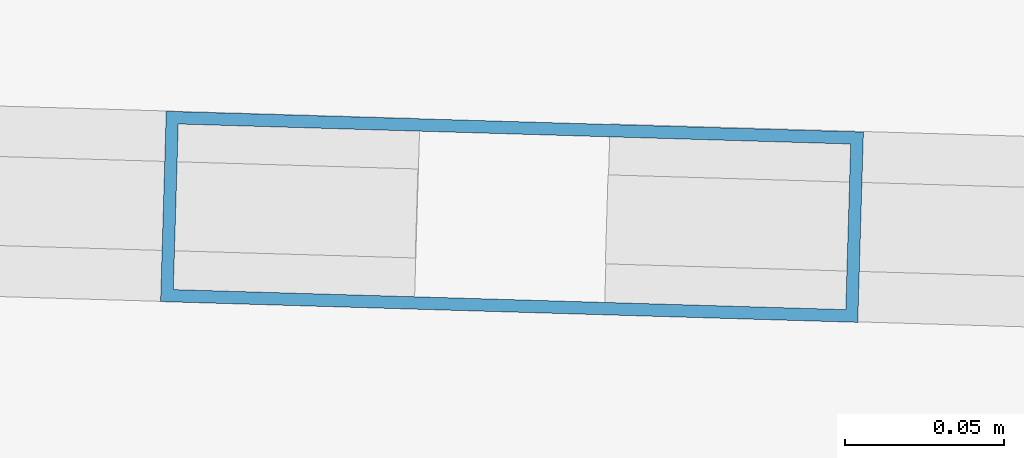
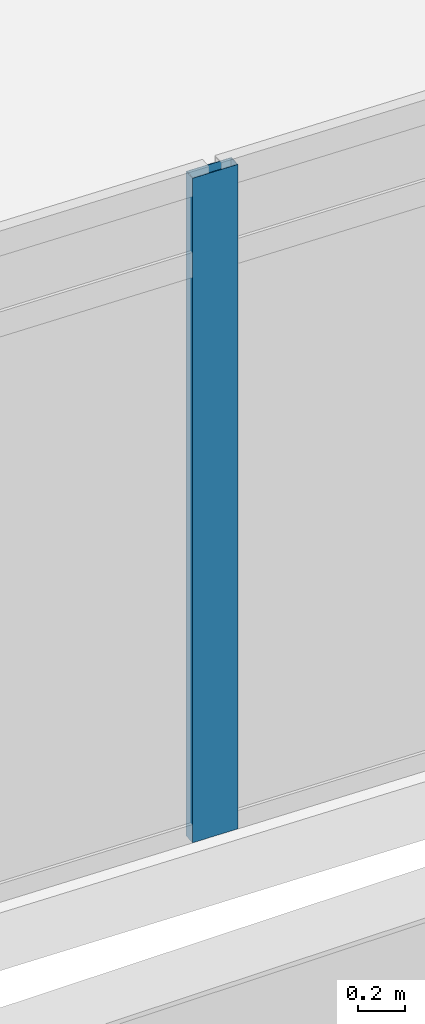
# One storey, part 5 of 38: 1 member, 1 element without a shape of its own.
"""IFC4 building model written with IfcOpenShell, lengths in metres."""

import ifcopenshell
import ifcopenshell.guid

model = None  # the IFC model being written
_history = None  # IfcOwnerHistory: only IFC2X3 demands one
_inside = {}  # id of a spatial element -> (the spatial element, [elements in it])
_under = {}  # id of a project, library or spatial element -> (it, [spatial elements below it])
_declared = {}  # id of a project -> (the project, [libraries it declares])
_typed = {}  # id of a type object -> (the type object, [elements of that type])
_made_of = {}  # id of a material, layer set ... -> (it, [elements and type objects made of it])


def new_model(schema):
    """Start an empty IFC model of exactly this schema.

    Asked for "IFC4X3", IfcOpenShell would pick the latest addendum, in which some entities
    have other attributes; the version numbers below select the first issue.
    IFC2X3 requires an IfcOwnerHistory on every rooted entity: one is made here for all.
    """
    global model, _history
    if schema == "IFC4X3":
        model = ifcopenshell.file(schema_version=(4, 3, 0, 0))
    else:
        model = ifcopenshell.file(schema=schema)
    _inside.clear()
    _under.clear()
    _declared.clear()
    _typed.clear()
    _made_of.clear()
    _history = None
    if model.schema == "IFC2X3":
        org = make("IfcOrganization", Name="unknown")
        user = make(
            "IfcPersonAndOrganization",
            ThePerson=make("IfcPerson", FamilyName="unknown"),
            TheOrganization=org,
        )
        app = make(
            "IfcApplication",
            ApplicationDeveloper=org,
            Version="unknown",
            ApplicationFullName="unknown",
            ApplicationIdentifier="unknown",
        )
        _history = make(
            "IfcOwnerHistory",
            OwningUser=user,
            OwningApplication=app,
            ChangeAction="ADDED",
            CreationDate=0,
        )
    return model


def make(cls, **values):
    """One entity of the class cls with the attributes given. An attribute that is None is left unset."""
    return model.create_entity(
        cls, **{name: value for name, value in values.items() if value is not None}
    )


def rooted(cls, **values):
    """An entity with a GlobalId (a new one), such as an element, a storey or a relation."""
    return make(cls, GlobalId=ifcopenshell.guid.new(), OwnerHistory=_history, **values)


def si_unit(unit_type, name, prefix=None):
    """IfcSIUnit, for example si_unit("LENGTHUNIT", "METRE", prefix="MILLI")."""
    return make("IfcSIUnit", UnitType=unit_type, Prefix=prefix, Name=name)


def assignment(units):
    """IfcUnitAssignment: the units of a project."""
    return None if units is None else make("IfcUnitAssignment", Units=units)


def point(xyz):
    """IfcCartesianPoint."""
    return None if xyz is None else make("IfcCartesianPoint", Coordinates=xyz)


def direction(xyz):
    """IfcDirection."""
    return None if xyz is None else make("IfcDirection", DirectionRatios=xyz)


def frame(location, z_axis=None, x_axis=None):
    """IfcAxis2Placement3D, a coordinate frame: its origin and axes. An axis left out is left unset."""
    return make(
        "IfcAxis2Placement3D",
        Location=point(location),
        Axis=direction(z_axis),
        RefDirection=direction(x_axis),
    )


def frame_2d(location, x_axis=None):
    """IfcAxis2Placement2D, a coordinate frame in the plane: its origin and x axis."""
    return make(
        "IfcAxis2Placement2D", Location=point(location), RefDirection=direction(x_axis)
    )


def origin():
    """The frame at (0, 0, 0) with its axes left unset."""
    return frame((0.0, 0.0, 0.0))


def origin_2d():
    """The frame at (0, 0) in the plane with its x axis left unset."""
    return frame_2d((0.0, 0.0))


def place(relative_to, where):
    """IfcLocalPlacement: puts the frame where relative to a parent placement (None: the world)."""
    return make(
        "IfcLocalPlacement", PlacementRelTo=relative_to, RelativePlacement=where
    )


def context(
    kind, dimensions, precision=None, world=None, true_north=None, identifier=None
):
    """IfcGeometricRepresentationContext, for example the 3D "Model" context."""
    return make(
        "IfcGeometricRepresentationContext",
        ContextIdentifier=identifier,
        ContextType=kind,
        CoordinateSpaceDimension=dimensions,
        Precision=precision,
        WorldCoordinateSystem=world,
        TrueNorth=true_north,
    )


def subcontext(parent, identifier, kind, view, scale=None):
    """IfcGeometricRepresentationSubContext, for example "Body" below "Model"."""
    return make(
        "IfcGeometricRepresentationSubContext",
        ContextIdentifier=identifier,
        ContextType=kind,
        ParentContext=parent,
        TargetScale=scale,
        TargetView=view,
    )


def project(units=None, contexts=None):
    """IfcProject with its units and contexts."""
    return rooted(
        "IfcProject",
        Name="project",
        RepresentationContexts=contexts,
        UnitsInContext=assignment(units),
    )


def spatial(cls, under=None, at=None, **own):
    """A site, building, storey or space (cls), placed at a placement, below another one or the project."""
    s = rooted(cls, ObjectPlacement=at, **own)
    if under is not None:
        _under.setdefault(under.id(), (under, []))[1].append(s)
    return s


def profile(cls, at=None, kind="AREA", **sizes):
    """A parametric profile (cls). Its sizes go by their IFC names, for example OverallWidth=200.0."""
    return make(cls, ProfileType=kind, Position=at, **sizes)


def hollow_rectangle(**sizes):
    """IfcRectangleHollowProfileDef."""
    return profile("IfcRectangleHollowProfileDef", **sizes)


def extrude(swept, where, along, depth):
    """IfcExtrudedAreaSolid: the profile swept, set in the frame where, extruded along a direction by depth."""
    return make(
        "IfcExtrudedAreaSolid",
        SweptArea=swept,
        Position=where,
        ExtrudedDirection=direction(along),
        Depth=depth,
    )


def shape(context_of_items, identifier, shape_type, items):
    """IfcShapeRepresentation: the items that make up one representation, for example the "Body"."""
    return make(
        "IfcShapeRepresentation",
        ContextOfItems=context_of_items,
        RepresentationIdentifier=identifier,
        RepresentationType=shape_type,
        Items=items,
    )


def material(Name=None, Category=None):
    """IfcMaterial."""
    return make("IfcMaterial", Name=Name, Category=Category)


def material_profile(
    of_material, cross_section, Name=None, Category=None, Priority=None
):
    """IfcMaterialProfile: a cross section and its material."""
    return make(
        "IfcMaterialProfile",
        Name=Name,
        Material=of_material,
        Profile=cross_section,
        Priority=Priority,
        Category=Category,
    )


def profile_set(profiles, Name=None, composite=None):
    """IfcMaterialProfileSet."""
    return make(
        "IfcMaterialProfileSet",
        Name=Name,
        MaterialProfiles=profiles,
        CompositeProfile=composite,
    )


def made_of(thing, what):
    """Note that an element or type object is made of a material, layer set ...; save() writes the relation."""
    if what is not None:
        _made_of.setdefault(what.id(), (what, []))[1].append(thing)
    return thing


def type_object(cls, material=None, **own):
    """A type object (cls), such as IfcWallType, which elements share."""
    return made_of(rooted(cls, **own), material)


def element(
    cls,
    number,
    at=None,
    inside=None,
    cuts=None,
    type_object=None,
    material=None,
    context=None,
    identifier="Body",
    shape_type=None,
    held_by="IfcProductDefinitionShape",
    body=None,
    shapes=None,
    **own,
):
    """One element of the class cls, such as IfcWall. Its Tag is "e" and its number.

    at: its placement. inside: the storey or other place that contains it. cuts: it is an
    opening in that element (IfcRelVoidsElement). A single representation is given by context,
    identifier, shape_type and body (its items); several are given by shapes. held_by: the class
    of the entity that holds the representations. save() writes the other relations.
    """
    e = rooted(cls, Tag="e%d" % number, ObjectPlacement=at, **own)
    if body is not None:
        shapes = [shape(context, identifier, shape_type, body)]
    if shapes is not None:
        e.Representation = make(held_by, Representations=shapes)
    if inside is not None:
        _inside.setdefault(inside.id(), (inside, []))[1].append(e)
    if cuts is not None:
        rooted(
            "IfcRelVoidsElement", RelatingBuildingElement=cuts, RelatedOpeningElement=e
        )
    if type_object is not None:
        _typed.setdefault(type_object.id(), (type_object, []))[1].append(e)
    return made_of(e, material)


def aggregate(whole, parts):
    """IfcRelAggregates: a whole, such as a stair, and the parts it consists of."""
    return rooted("IfcRelAggregates", RelatingObject=whole, RelatedObjects=parts)


def save(model, path):
    """Write the relations noted so far, then the file.

    IfcRelAggregates (storeys below a building ...), IfcRelContainedInSpatialStructure (elements
    in a storey), IfcRelDefinesByType, IfcRelAssociatesMaterial and IfcRelDeclares: one each for
    every whole, place, type object, material and project.
    """
    for whole, parts in _under.values():
        aggregate(whole, parts)
    for where, things in _inside.values():
        rooted(
            "IfcRelContainedInSpatialStructure",
            RelatedElements=things,
            RelatingStructure=where,
        )
    for kind, things in _typed.values():
        rooted("IfcRelDefinesByType", RelatedObjects=things, RelatingType=kind)
    for what, things in _made_of.values():
        rooted("IfcRelAssociatesMaterial", RelatedObjects=things, RelatingMaterial=what)
    for by, libraries in _declared.values():
        rooted("IfcRelDeclares", RelatingContext=by, RelatedDefinitions=libraries)
    model.write(path)


model = new_model("IFC4")

# Units and contexts
model_context = context("Model", 3, precision=1e-05, world=origin(), true_north=direction((0.0, 1.0)))
body_context = subcontext(model_context, "Body", "Model", "MODEL_VIEW")
ifc_project = project(units=[si_unit("LENGTHUNIT", "METRE"), si_unit("AREAUNIT", "SQUARE_METRE"), si_unit("VOLUMEUNIT", "CUBIC_METRE"), si_unit("PLANEANGLEUNIT", "RADIAN"), si_unit("MASSUNIT", "GRAM", prefix="KILO")], contexts=[model_context])

# Site, building, storey
site_placement = place(None, origin())
site = spatial("IfcSite", under=ifc_project, at=site_placement, CompositionType="ELEMENT")
building_placement = place(site_placement, origin())
building = spatial("IfcBuilding", under=site, at=building_placement, Name="Ostrander Bayou Hotel Tower", CompositionType="ELEMENT")
storey_placement = place(building_placement, frame((0.0, 0.0, 96.75)))
storey = spatial("IfcBuildingStorey", under=building, at=storey_placement, Name="L24", CompositionType="ELEMENT", Elevation=96.75)

# Curtain wall, member
ifc_material_1 = material(Name="Aluminium and clear glass", Category="aluminium")
curtain_wall_type = type_object("IfcCurtainWallType", Name="CW-BAR glazed wall", PredefinedType="NOTDEFINED", material=ifc_material_1)
curtain_wall_placement = place(storey_placement, origin())
curtain_wall = element("IfcCurtainWall", 1, at=curtain_wall_placement, inside=storey, type_object=curtain_wall_type, Name="CW-BAR L24:SB2S:T", PredefinedType="NOTDEFINED")
ifc_material_2 = material(Name="Aluminium", Category="aluminium")
ifc_material_profile = material_profile(ifc_material_2, hollow_rectangle(XDim=0.06005859375, YDim=0.219970703125, WallThickness=0.00390625, at=origin_2d()))
ifc_profile_set = profile_set([ifc_material_profile], Name="Aluminium")
member_type = type_object("IfcMemberType", Name="CW-BR mullion 60 x 220 mm", PredefinedType="MULLION", material=ifc_profile_set)
member_placement = place(storey_placement, frame((1.0283203125, -31.730712890625, 0.0), z_axis=(0.0, 0.0, 1.0), x_axis=(0.029746242041, 0.999557482631, 0.0)))
member = element("IfcMember", 2, at=member_placement, type_object=member_type, Name="CW-BAR mullion 8", PredefinedType="MULLION", context=body_context, shape_type="SweptSolid", body=[
    extrude(hollow_rectangle(XDim=0.06005859375, YDim=0.219970703125, WallThickness=0.00390625, at=origin_2d()), origin(), (0.0, 0.0, 1.0), 3.449951171875),
])
aggregate(curtain_wall, [member])

save(model, "model.ifc")
